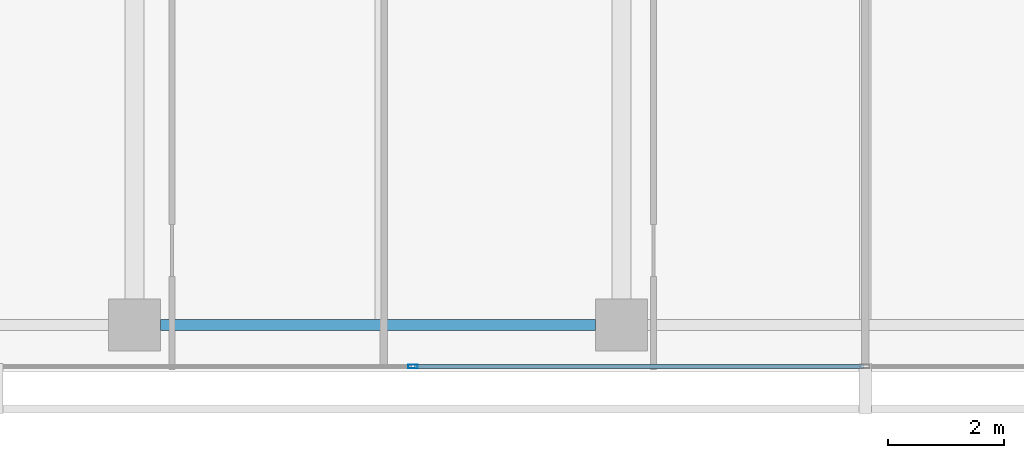
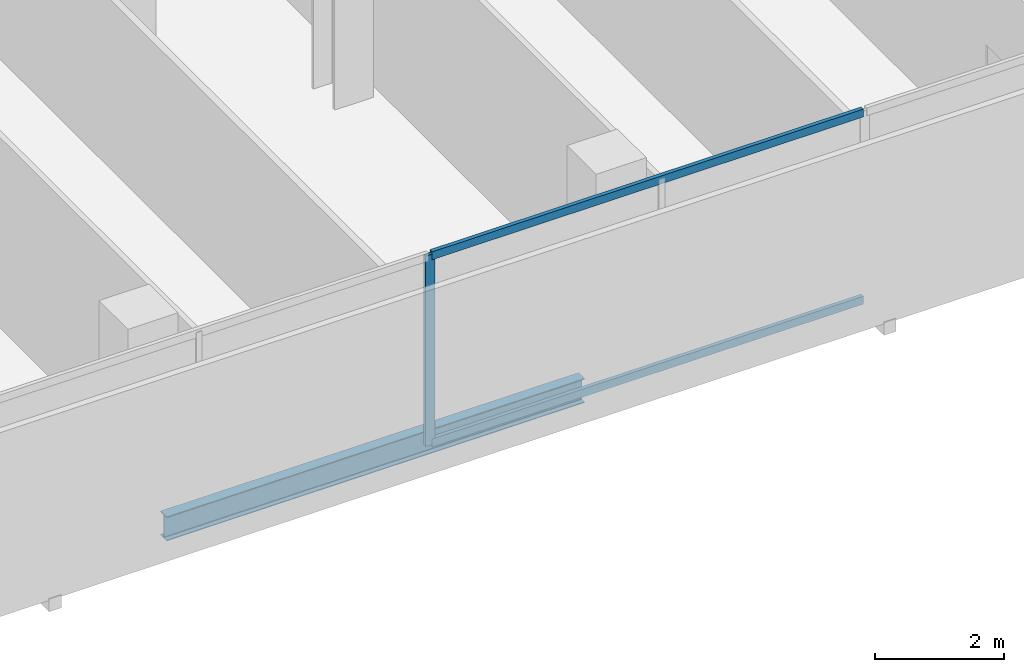
# One storey, part 7 of 40: 3 members, 1 beam, 1 element without a shape of its own.
"""IFC4 building model written with IfcOpenShell, lengths in metres."""

from ifc_helpers import new_model, si_unit, direction, frame, origin, origin_2d, place, context, subcontext, project, spatial, hollow_rectangle, i_section, extrude, material, layer, layer_set, material_profile, profile_set, type_object, element, aggregate, save


model = new_model("IFC4")

# Units and contexts
model_context = context("Model", 3, precision=1e-05, world=origin(), true_north=direction((0.0, 1.0)))
body_context = subcontext(model_context, "Body", "Model", "MODEL_VIEW")
ifc_project = project(units=[si_unit("LENGTHUNIT", "METRE"), si_unit("AREAUNIT", "SQUARE_METRE"), si_unit("VOLUMEUNIT", "CUBIC_METRE"), si_unit("PLANEANGLEUNIT", "RADIAN"), si_unit("MASSUNIT", "GRAM", prefix="KILO")], contexts=[model_context])

# Site, building, storey
site_placement = place(None, origin())
site = spatial("IfcSite", under=ifc_project, at=site_placement, CompositionType="ELEMENT")
building_placement = place(site_placement, origin())
building = spatial("IfcBuilding", under=site, at=building_placement, Name="Maruvema Waterfront Hotel and Observation Tower", CompositionType="ELEMENT")
storey_placement = place(building_placement, frame((0.0, 0.0, 42.35009765625)))
storey = spatial("IfcBuildingStorey", under=building, at=storey_placement, Name="L09", CompositionType="ELEMENT", Elevation=42.35009765625)

# Curtain wall, members
ifc_material_1 = material(Name="Anodised bronze aluminium and solar-control low-E IGU", Category="aluminium")
ifc_layer = layer(ifc_material_1, 0.159912109375, Name="Zone 1 Bronze Inner Thermal Curtain Wall System CW-02")
ifc_layer_set = layer_set([ifc_layer], Name="Anodised bronze aluminium and solar-control low-E IGU")
curtain_wall_type = type_object("IfcCurtainWallType", Name="Zone 1 Bronze Inner Thermal Curtain Wall System CW-02", PredefinedType="USERDEFINED", material=ifc_layer_set)
curtain_wall_placement = place(storey_placement, origin())
curtain_wall = element("IfcCurtainWall", 1, at=curtain_wall_placement, inside=storey, type_object=curtain_wall_type, Name="L09 Curtain Wall CW-L09-S", ObjectType="UNITISED CURTAIN WALL", PredefinedType="USERDEFINED")
ifc_material_2 = material(Name="Anodised architectural bronze aluminium", Category="aluminium")
ifc_material_profile_1 = material_profile(ifc_material_2, hollow_rectangle(XDim=0.070068359375, YDim=0.14990234375, WallThickness=0.00390625, at=origin_2d()), Name="ALU-T70x150")
ifc_profile_set_1 = profile_set([ifc_material_profile_1], Name="Anodised architectural bronze aluminium")
member_type_1 = type_object("IfcMemberType", Name="Curtain Wall Horizontal Transom ALU-T70x150", PredefinedType="USERDEFINED", material=ifc_profile_set_1)
member_1_placement = place(storey_placement, frame((30.030029296875, 0.080078125, 0.02978515625), z_axis=(1.0, 0.0, 0.0), x_axis=(0.0, 1.0, 0.0)))
member_1 = element("IfcMember", 2, at=member_1_placement, type_object=member_type_1, Name="CW-02 transom 3.1", ObjectType="TRANSOM", PredefinedType="USERDEFINED", context=body_context, shape_type="SweptSolid", body=[
    extrude(hollow_rectangle(XDim=0.070068359375, YDim=0.14990234375, WallThickness=0.00390625, at=origin_2d()), origin(), (0.0, 0.0, 1.0), 7.739990234375),
])
member_2_placement = place(storey_placement, frame((30.030029296875, 0.080078125, 3.579833984375), z_axis=(1.0, 0.0, 0.0), x_axis=(0.0, 1.0, 0.0)))
member_2 = element("IfcMember", 3, at=member_2_placement, type_object=member_type_1, Name="CW-02 transom 3.2", ObjectType="TRANSOM", PredefinedType="USERDEFINED", context=body_context, shape_type="SweptSolid", body=[
    extrude(hollow_rectangle(XDim=0.070068359375, YDim=0.14990234375, WallThickness=0.00390625, at=origin_2d()), origin(), (0.0, 0.0, 1.0), 7.739990234375),
])
ifc_material_3 = material(Name="Anodised architectural bronze aluminium", Category="aluminium")
ifc_material_profile_2 = material_profile(ifc_material_3, hollow_rectangle(XDim=0.06494140625, YDim=0.1650390625, WallThickness=0.00390625, at=origin_2d()), Name="ALU-M65x165")
ifc_profile_set_2 = profile_set([ifc_material_profile_2], Name="Anodised architectural bronze aluminium")
member_type_2 = type_object("IfcMemberType", Name="Curtain Wall Primary Mullion ALU-M65x165", PredefinedType="MULLION", material=ifc_profile_set_2)
member_3_placement = place(storey_placement, frame((30.0, 0.080078125, 0.0), z_axis=(0.0, 0.0, 1.0), x_axis=(0.0, 1.0, 0.0)))
member_3 = element("IfcMember", 4, at=member_3_placement, type_object=member_type_2, Name="CW-02 mullion 3", PredefinedType="MULLION", context=body_context, shape_type="SweptSolid", body=[
    extrude(hollow_rectangle(XDim=0.06494140625, YDim=0.1650390625, WallThickness=0.00390625, at=origin_2d()), origin(), (0.0, 0.0, 1.0), 3.60986328125),
])
aggregate(curtain_wall, [member_3, member_1, member_2])

# Beam
ifc_material_4 = material(Name="Steel ASTM A572 Grade 50", Category="steel")
ifc_material_profile_3 = material_profile(ifc_material_4, i_section(OverallWidth=0.18994140625, OverallDepth=0.45703125, WebThickness=0.009033203125, FlangeThickness=0.014404296875, FilletRadius=0.014892578125, at=origin_2d()), Name="W460x74.0")
ifc_profile_set_3 = profile_set([ifc_material_profile_3], Name="Steel ASTM A572 Grade 50")
beam_type = type_object("IfcBeamType", Name="Perimeter Spandrel Beam W460x74.0", PredefinedType="SPANDREL", material=ifc_profile_set_3)
beam_placement = place(storey_placement, frame((25.64990234375, 0.800048828125, -0.468505859375), z_axis=(1.0, 0.0, 0.0), x_axis=(0.0, 1.0, 0.0)))
element("IfcBeam", 5, at=beam_placement, inside=storey, type_object=beam_type, Name="L09 Floor Girder EW-02", PredefinedType="SPANDREL", context=body_context, shape_type="SweptSolid", body=[
    extrude(i_section(OverallWidth=0.18994140625, OverallDepth=0.45703125, WebThickness=0.009033203125, FlangeThickness=0.014404296875, FilletRadius=0.014892578125, at=origin_2d()), origin(), (0.0, 0.0, 1.0), 7.5),
])

save(model, "model.ifc")
